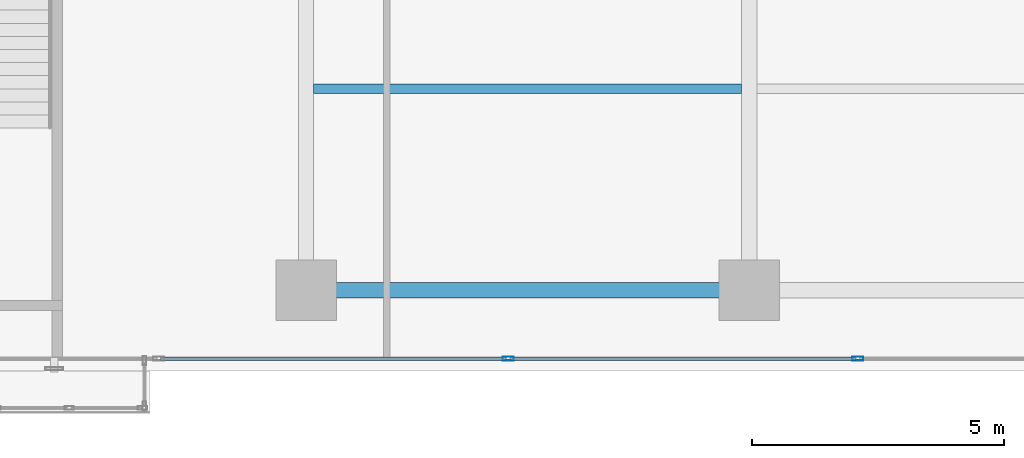
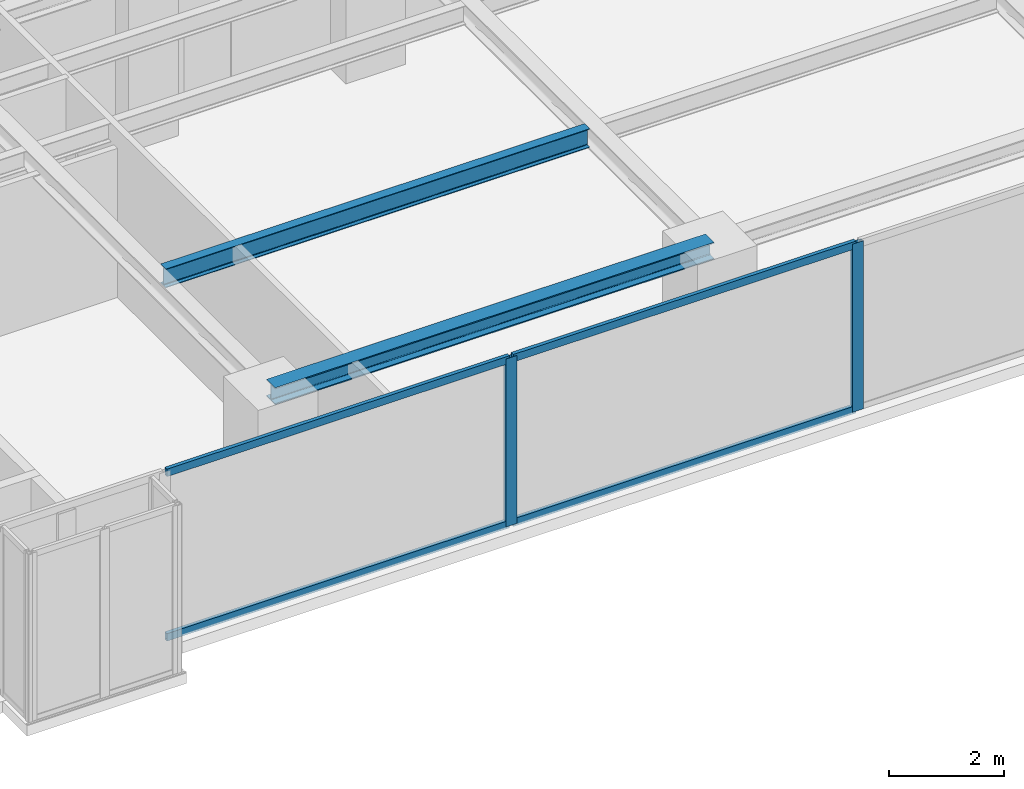
# One storey, part 10 of 24: 6 members, 2 beams, 1 element without a shape of its own.
"""IFC4 building model written with IfcOpenShell, lengths in metres."""

import ifcopenshell
import ifcopenshell.guid

model = None  # the IFC model being written
_history = None  # IfcOwnerHistory: only IFC2X3 demands one
_inside = {}  # id of a spatial element -> (the spatial element, [elements in it])
_under = {}  # id of a project, library or spatial element -> (it, [spatial elements below it])
_declared = {}  # id of a project -> (the project, [libraries it declares])
_typed = {}  # id of a type object -> (the type object, [elements of that type])
_made_of = {}  # id of a material, layer set ... -> (it, [elements and type objects made of it])


def new_model(schema):
    """Start an empty IFC model of exactly this schema.

    Asked for "IFC4X3", IfcOpenShell would pick the latest addendum, in which some entities
    have other attributes; the version numbers below select the first issue.
    IFC2X3 requires an IfcOwnerHistory on every rooted entity: one is made here for all.
    """
    global model, _history
    if schema == "IFC4X3":
        model = ifcopenshell.file(schema_version=(4, 3, 0, 0))
    else:
        model = ifcopenshell.file(schema=schema)
    _inside.clear()
    _under.clear()
    _declared.clear()
    _typed.clear()
    _made_of.clear()
    _history = None
    if model.schema == "IFC2X3":
        org = make("IfcOrganization", Name="unknown")
        user = make(
            "IfcPersonAndOrganization",
            ThePerson=make("IfcPerson", FamilyName="unknown"),
            TheOrganization=org,
        )
        app = make(
            "IfcApplication",
            ApplicationDeveloper=org,
            Version="unknown",
            ApplicationFullName="unknown",
            ApplicationIdentifier="unknown",
        )
        _history = make(
            "IfcOwnerHistory",
            OwningUser=user,
            OwningApplication=app,
            ChangeAction="ADDED",
            CreationDate=0,
        )
    return model


def make(cls, **values):
    """One entity of the class cls with the attributes given. An attribute that is None is left unset."""
    return model.create_entity(
        cls, **{name: value for name, value in values.items() if value is not None}
    )


def rooted(cls, **values):
    """An entity with a GlobalId (a new one), such as an element, a storey or a relation."""
    return make(cls, GlobalId=ifcopenshell.guid.new(), OwnerHistory=_history, **values)


def si_unit(unit_type, name, prefix=None):
    """IfcSIUnit, for example si_unit("LENGTHUNIT", "METRE", prefix="MILLI")."""
    return make("IfcSIUnit", UnitType=unit_type, Prefix=prefix, Name=name)


def assignment(units):
    """IfcUnitAssignment: the units of a project."""
    return None if units is None else make("IfcUnitAssignment", Units=units)


def point(xyz):
    """IfcCartesianPoint."""
    return None if xyz is None else make("IfcCartesianPoint", Coordinates=xyz)


def direction(xyz):
    """IfcDirection."""
    return None if xyz is None else make("IfcDirection", DirectionRatios=xyz)


def frame(location, z_axis=None, x_axis=None):
    """IfcAxis2Placement3D, a coordinate frame: its origin and axes. An axis left out is left unset."""
    return make(
        "IfcAxis2Placement3D",
        Location=point(location),
        Axis=direction(z_axis),
        RefDirection=direction(x_axis),
    )


def frame_2d(location, x_axis=None):
    """IfcAxis2Placement2D, a coordinate frame in the plane: its origin and x axis."""
    return make(
        "IfcAxis2Placement2D", Location=point(location), RefDirection=direction(x_axis)
    )


def origin():
    """The frame at (0, 0, 0) with its axes left unset."""
    return frame((0.0, 0.0, 0.0))


def origin_with_axes():
    """The frame at (0, 0, 0) with the z axis (0, 0, 1) and the x axis (1, 0, 0) written out."""
    return frame((0.0, 0.0, 0.0), z_axis=(0.0, 0.0, 1.0), x_axis=(1.0, 0.0, 0.0))


def origin_2d():
    """The frame at (0, 0) in the plane with its x axis left unset."""
    return frame_2d((0.0, 0.0))


def place(relative_to, where):
    """IfcLocalPlacement: puts the frame where relative to a parent placement (None: the world)."""
    return make(
        "IfcLocalPlacement", PlacementRelTo=relative_to, RelativePlacement=where
    )


def context(
    kind, dimensions, precision=None, world=None, true_north=None, identifier=None
):
    """IfcGeometricRepresentationContext, for example the 3D "Model" context."""
    return make(
        "IfcGeometricRepresentationContext",
        ContextIdentifier=identifier,
        ContextType=kind,
        CoordinateSpaceDimension=dimensions,
        Precision=precision,
        WorldCoordinateSystem=world,
        TrueNorth=true_north,
    )


def subcontext(parent, identifier, kind, view, scale=None):
    """IfcGeometricRepresentationSubContext, for example "Body" below "Model"."""
    return make(
        "IfcGeometricRepresentationSubContext",
        ContextIdentifier=identifier,
        ContextType=kind,
        ParentContext=parent,
        TargetScale=scale,
        TargetView=view,
    )


def project(units=None, contexts=None):
    """IfcProject with its units and contexts."""
    return rooted(
        "IfcProject",
        Name="project",
        RepresentationContexts=contexts,
        UnitsInContext=assignment(units),
    )


def spatial(cls, under=None, at=None, **own):
    """A site, building, storey or space (cls), placed at a placement, below another one or the project."""
    s = rooted(cls, ObjectPlacement=at, **own)
    if under is not None:
        _under.setdefault(under.id(), (under, []))[1].append(s)
    return s


def profile(cls, at=None, kind="AREA", **sizes):
    """A parametric profile (cls). Its sizes go by their IFC names, for example OverallWidth=200.0."""
    return make(cls, ProfileType=kind, Position=at, **sizes)


def hollow_rectangle(**sizes):
    """IfcRectangleHollowProfileDef."""
    return profile("IfcRectangleHollowProfileDef", **sizes)


def i_section(**sizes):
    """IfcIShapeProfileDef."""
    return profile("IfcIShapeProfileDef", **sizes)


def extrude(swept, where, along, depth):
    """IfcExtrudedAreaSolid: the profile swept, set in the frame where, extruded along a direction by depth."""
    return make(
        "IfcExtrudedAreaSolid",
        SweptArea=swept,
        Position=where,
        ExtrudedDirection=direction(along),
        Depth=depth,
    )


def shape(context_of_items, identifier, shape_type, items):
    """IfcShapeRepresentation: the items that make up one representation, for example the "Body"."""
    return make(
        "IfcShapeRepresentation",
        ContextOfItems=context_of_items,
        RepresentationIdentifier=identifier,
        RepresentationType=shape_type,
        Items=items,
    )


def source(mapping_origin, context_of_items, identifier, shape_type, items):
    """IfcRepresentationMap: a shape defined once, which mapped items show again and again."""
    return make(
        "IfcRepresentationMap",
        MappingOrigin=mapping_origin,
        MappedRepresentation=shape(context_of_items, identifier, shape_type, items),
    )


def transform(
    local_origin,
    x_axis=None,
    y_axis=None,
    z_axis=None,
    scale=None,
    scale2=None,
    scale3=None,
    uniform=True,
):
    """IfcCartesianTransformationOperator3D, or its non-uniform kind. x_axis, y_axis, z_axis: its Axis1, 2, 3."""
    if uniform:
        return make(
            "IfcCartesianTransformationOperator3D",
            Axis1=direction(x_axis),
            Axis2=direction(y_axis),
            LocalOrigin=point(local_origin),
            Scale=scale,
            Axis3=direction(z_axis),
        )
    return make(
        "IfcCartesianTransformationOperator3DnonUniform",
        Axis1=direction(x_axis),
        Axis2=direction(y_axis),
        LocalOrigin=point(local_origin),
        Scale=scale,
        Axis3=direction(z_axis),
        Scale2=scale2,
        Scale3=scale3,
    )


def mapped(mapping_source, mapping_target):
    """IfcMappedItem: shows the shape of a source again, moved by a transform."""
    return make(
        "IfcMappedItem", MappingSource=mapping_source, MappingTarget=mapping_target
    )


def material(Name=None, Category=None):
    """IfcMaterial."""
    return make("IfcMaterial", Name=Name, Category=Category)


def layer(
    of_material, thickness, ventilated=None, Name=None, Category=None, Priority=None
):
    """IfcMaterialLayer: one layer of a wall or slab, of a material (None: an air gap)."""
    return make(
        "IfcMaterialLayer",
        Material=of_material,
        LayerThickness=thickness,
        IsVentilated=ventilated,
        Name=Name,
        Category=Category,
        Priority=Priority,
    )


def layer_set(layers, Name=None):
    """IfcMaterialLayerSet."""
    return make("IfcMaterialLayerSet", MaterialLayers=layers, LayerSetName=Name)


def material_profile(
    of_material, cross_section, Name=None, Category=None, Priority=None
):
    """IfcMaterialProfile: a cross section and its material."""
    return make(
        "IfcMaterialProfile",
        Name=Name,
        Material=of_material,
        Profile=cross_section,
        Priority=Priority,
        Category=Category,
    )


def profile_set(profiles, Name=None, composite=None):
    """IfcMaterialProfileSet."""
    return make(
        "IfcMaterialProfileSet",
        Name=Name,
        MaterialProfiles=profiles,
        CompositeProfile=composite,
    )


def made_of(thing, what):
    """Note that an element or type object is made of a material, layer set ...; save() writes the relation."""
    if what is not None:
        _made_of.setdefault(what.id(), (what, []))[1].append(thing)
    return thing


def type_object(cls, material=None, **own):
    """A type object (cls), such as IfcWallType, which elements share."""
    return made_of(rooted(cls, **own), material)


def element(
    cls,
    number,
    at=None,
    inside=None,
    cuts=None,
    type_object=None,
    material=None,
    context=None,
    identifier="Body",
    shape_type=None,
    held_by="IfcProductDefinitionShape",
    body=None,
    shapes=None,
    **own,
):
    """One element of the class cls, such as IfcWall. Its Tag is "e" and its number.

    at: its placement. inside: the storey or other place that contains it. cuts: it is an
    opening in that element (IfcRelVoidsElement). A single representation is given by context,
    identifier, shape_type and body (its items); several are given by shapes. held_by: the class
    of the entity that holds the representations. save() writes the other relations.
    """
    e = rooted(cls, Tag="e%d" % number, ObjectPlacement=at, **own)
    if body is not None:
        shapes = [shape(context, identifier, shape_type, body)]
    if shapes is not None:
        e.Representation = make(held_by, Representations=shapes)
    if inside is not None:
        _inside.setdefault(inside.id(), (inside, []))[1].append(e)
    if cuts is not None:
        rooted(
            "IfcRelVoidsElement", RelatingBuildingElement=cuts, RelatedOpeningElement=e
        )
    if type_object is not None:
        _typed.setdefault(type_object.id(), (type_object, []))[1].append(e)
    return made_of(e, material)


def aggregate(whole, parts):
    """IfcRelAggregates: a whole, such as a stair, and the parts it consists of."""
    return rooted("IfcRelAggregates", RelatingObject=whole, RelatedObjects=parts)


def save(model, path):
    """Write the relations noted so far, then the file.

    IfcRelAggregates (storeys below a building ...), IfcRelContainedInSpatialStructure (elements
    in a storey), IfcRelDefinesByType, IfcRelAssociatesMaterial and IfcRelDeclares: one each for
    every whole, place, type object, material and project.
    """
    for whole, parts in _under.values():
        aggregate(whole, parts)
    for where, things in _inside.values():
        rooted(
            "IfcRelContainedInSpatialStructure",
            RelatedElements=things,
            RelatingStructure=where,
        )
    for kind, things in _typed.values():
        rooted("IfcRelDefinesByType", RelatedObjects=things, RelatingType=kind)
    for what, things in _made_of.values():
        rooted("IfcRelAssociatesMaterial", RelatedObjects=things, RelatingMaterial=what)
    for by, libraries in _declared.values():
        rooted("IfcRelDeclares", RelatingContext=by, RelatedDefinitions=libraries)
    model.write(path)


model = new_model("IFC4")

# Units and contexts
model_context = context("Model", 3, precision=1e-05, world=origin(), true_north=direction((0.0, 1.0)))
body_context = subcontext(model_context, "Body", "Model", "MODEL_VIEW")
ifc_project = project(units=[si_unit("LENGTHUNIT", "METRE"), si_unit("AREAUNIT", "SQUARE_METRE"), si_unit("VOLUMEUNIT", "CUBIC_METRE"), si_unit("PLANEANGLEUNIT", "RADIAN"), si_unit("MASSUNIT", "GRAM", prefix="KILO")], contexts=[model_context])

# Site, building, storey
site_placement = place(None, origin())
site = spatial("IfcSite", under=ifc_project, at=site_placement, CompositionType="ELEMENT")
building_placement = place(site_placement, origin())
building = spatial("IfcBuilding", under=site, at=building_placement, Name="Kolvaren Waterfront Exchange", CompositionType="ELEMENT")
storey_placement = place(building_placement, frame((0.0, 0.0, 172.800048828125)))
storey = spatial("IfcBuildingStorey", under=building, at=storey_placement, Name="L44", CompositionType="ELEMENT", Elevation=172.800048828125)

# Beams
ifc_material_1 = material(Name="Steel S355", Category="steel")
ifc_material_profile_1 = material_profile(ifc_material_1, i_section(OverallWidth=0.300048828125, OverallDepth=0.360107421875, WebThickness=0.012451171875, FlangeThickness=0.0224609375, FilletRadius=0.027099609375, at=origin_2d()), Name="HEB360")
ifc_profile_set_1 = profile_set([ifc_material_profile_1], Name="Steel S355")
beam_type_1 = type_object("IfcBeamType", Name="STR-BM-HEB360", PredefinedType="SPANDREL", material=ifc_profile_set_1)
beam_1_placement = place(storey_placement, frame((36.800048828125, 5.199951171875, 3.3798828125), z_axis=(1.0, 0.0, 0.0), x_axis=(0.0, 1.0, 0.0)))
element("IfcBeam", 1, at=beam_1_placement, inside=storey, type_object=beam_type_1, Name="L44 east-arm spandrel S3", PredefinedType="SPANDREL", context=body_context, shape_type="SweptSolid", body=[
    extrude(i_section(OverallWidth=0.300048828125, OverallDepth=0.360107421875, WebThickness=0.012451171875, FlangeThickness=0.0224609375, FilletRadius=0.027099609375, at=origin_2d()), origin(), (0.0, 0.0, 1.0), 8.800048828125),
])
ifc_material_profile_2 = material_profile(ifc_material_1, i_section(OverallWidth=0.179931640625, OverallDepth=0.39990234375, WebThickness=0.008544921875, FlangeThickness=0.013427734375, FilletRadius=0.02099609375, at=origin_2d()), Name="IPE400")
ifc_profile_set_2 = profile_set([ifc_material_profile_2], Name="Steel S355")
beam_type_2 = type_object("IfcBeamType", Name="STR-BM-IPE400", PredefinedType="JOIST", material=ifc_profile_set_2)
beam_2_placement = place(storey_placement, frame((36.951904296875, 9.199951171875, 3.35986328125), z_axis=(1.0, 0.0, 0.0), x_axis=(0.0, 1.0, 0.0)))
element("IfcBeam", 2, at=beam_2_placement, inside=storey, type_object=beam_type_2, Name="L44 east-arm composite joist 3B", PredefinedType="JOIST", context=body_context, shape_type="SweptSolid", body=[
    extrude(i_section(OverallWidth=0.179931640625, OverallDepth=0.39990234375, WebThickness=0.008544921875, FlangeThickness=0.013427734375, FilletRadius=0.02099609375, at=origin_2d()), origin(), (0.0, 0.0, 1.0), 8.49609375),
])

# Curtain wall, members
ifc_material_2 = material(Name="Anodised bronze aluminium 6063-T6", Category="aluminium")
ifc_layer = layer(ifc_material_2, 0.219970703125, Name="Anodised bronze aluminium 6063-T6")
ifc_layer_set = layer_set([ifc_layer], Name="Anodised bronze aluminium 6063-T6")
curtain_wall_type = type_object("IfcCurtainWallType", Name="ARC-CW-SYS1", PredefinedType="USERDEFINED", material=ifc_layer_set)
curtain_wall_placement = place(storey_placement, origin())
curtain_wall = element("IfcCurtainWall", 3, at=curtain_wall_placement, inside=storey, type_object=curtain_wall_type, Name="L44 stick curtain wall CW1 (CW-L44-S)", ObjectType="STICK CURTAIN WALL", PredefinedType="USERDEFINED")
ifc_material_3 = material(Name="Anodised aluminium 6063-T6", Category="aluminium")
ifc_material_profile_3 = material_profile(ifc_material_3, hollow_rectangle(XDim=0.080078125, YDim=0.219970703125, WallThickness=0.0048828125, at=origin_2d()), Name="ALU-MUL-220x80x5")
ifc_profile_set_3 = profile_set([ifc_material_profile_3], Name="Anodised aluminium 6063-T6")
member_type_1 = type_object("IfcMemberType", Name="ARC-CWM-220", PredefinedType="MULLION", material=ifc_profile_set_3)
shared_shape_1 = source(origin_with_axes(), body_context, "Body", "SweptSolid", [
    extrude(hollow_rectangle(XDim=0.080078125, YDim=0.219970703125, WallThickness=0.0048828125, at=origin_2d()), origin(), (0.0, 0.0, 1.0), 3.56005859375),
])
member_1_placement = place(storey_placement, frame((40.814208984375, 3.840087890625, 0.0), z_axis=(0.0, 0.0, 1.0), x_axis=(0.0, 1.0, 0.0)))
member_1 = element("IfcMember", 4, at=member_1_placement, type_object=member_type_1, Name="CW1 mullion 6", PredefinedType="MULLION", context=body_context, shape_type="MappedRepresentation", body=[
    mapped(shared_shape_1, transform((0.0, 0.0, 0.0), x_axis=(1.0, 0.0, 0.0), y_axis=(0.0, 1.0, 0.0), z_axis=(0.0, 0.0, 1.0), scale=1.0)),
])
member_2_placement = place(storey_placement, frame((47.757080078125, 3.840087890625, 0.0), z_axis=(0.0, 0.0, 1.0), x_axis=(0.0, 1.0, 0.0)))
member_2 = element("IfcMember", 5, at=member_2_placement, type_object=member_type_1, Name="CW1 mullion 7", PredefinedType="MULLION", context=body_context, shape_type="MappedRepresentation", body=[
    mapped(shared_shape_1, transform((0.0, 0.0, 0.0), x_axis=(1.0, 0.0, 0.0), y_axis=(0.0, 1.0, 0.0), z_axis=(0.0, 0.0, 1.0), scale=1.0)),
])
ifc_material_profile_4 = material_profile(ifc_material_3, hollow_rectangle(XDim=0.074951171875, YDim=0.159912109375, WallThickness=0.00439453125, at=origin_2d()), Name="ALU-TRN-160x75x4.5")
ifc_profile_set_4 = profile_set([ifc_material_profile_4], Name="Anodised aluminium 6063-T6")
member_type_2 = type_object("IfcMemberType", Name="ARC-CWT-160", PredefinedType="USERDEFINED", material=ifc_profile_set_4)
shared_shape_2 = source(origin_with_axes(), body_context, "Body", "SweptSolid", [
    extrude(hollow_rectangle(XDim=0.074951171875, YDim=0.159912109375, WallThickness=0.00439453125, at=origin_2d()), origin(), (0.0, 0.0, 1.0), 6.86279296875),
])
member_3_placement = place(storey_placement, frame((33.911376953125, 3.840087890625, 0.037353515625), z_axis=(1.0, 0.0, 0.0), x_axis=(0.0, 1.0, 0.0)))
member_3 = element("IfcMember", 6, at=member_3_placement, type_object=member_type_2, Name="CW1 transom 5.1", ObjectType="TRANSOM", PredefinedType="USERDEFINED", context=body_context, shape_type="MappedRepresentation", body=[
    mapped(shared_shape_2, transform((0.0, 0.0, 0.0), x_axis=(1.0, 0.0, 0.0), y_axis=(0.0, 1.0, 0.0), z_axis=(0.0, 0.0, 1.0), scale=1.0)),
])
member_4_placement = place(storey_placement, frame((33.911376953125, 3.840087890625, 3.5224609375), z_axis=(1.0, 0.0, 0.0), x_axis=(0.0, 1.0, 0.0)))
member_4 = element("IfcMember", 7, at=member_4_placement, type_object=member_type_2, Name="CW1 transom 5.2", ObjectType="TRANSOM", PredefinedType="USERDEFINED", context=body_context, shape_type="MappedRepresentation", body=[
    mapped(shared_shape_2, transform((0.0, 0.0, 0.0), x_axis=(1.0, 0.0, 0.0), y_axis=(0.0, 1.0, 0.0), z_axis=(0.0, 0.0, 1.0), scale=1.0)),
])
member_5_placement = place(storey_placement, frame((40.854248046875, 3.840087890625, 0.037353515625), z_axis=(1.0, 0.0, 0.0), x_axis=(0.0, 1.0, 0.0)))
member_5 = element("IfcMember", 8, at=member_5_placement, type_object=member_type_2, Name="CW1 transom 6.1", ObjectType="TRANSOM", PredefinedType="USERDEFINED", context=body_context, shape_type="MappedRepresentation", body=[
    mapped(shared_shape_2, transform((0.0, 0.0, 0.0), x_axis=(1.0, 0.0, 0.0), y_axis=(0.0, 1.0, 0.0), z_axis=(0.0, 0.0, 1.0), scale=1.0)),
])
member_6_placement = place(storey_placement, frame((40.854248046875, 3.840087890625, 3.5224609375), z_axis=(1.0, 0.0, 0.0), x_axis=(0.0, 1.0, 0.0)))
member_6 = element("IfcMember", 9, at=member_6_placement, type_object=member_type_2, Name="CW1 transom 6.2", ObjectType="TRANSOM", PredefinedType="USERDEFINED", context=body_context, shape_type="MappedRepresentation", body=[
    mapped(shared_shape_2, transform((0.0, 0.0, 0.0), x_axis=(1.0, 0.0, 0.0), y_axis=(0.0, 1.0, 0.0), z_axis=(0.0, 0.0, 1.0), scale=1.0)),
])
aggregate(curtain_wall, [member_1, member_2, member_3, member_4, member_5, member_6])

save(model, "model.ifc")
